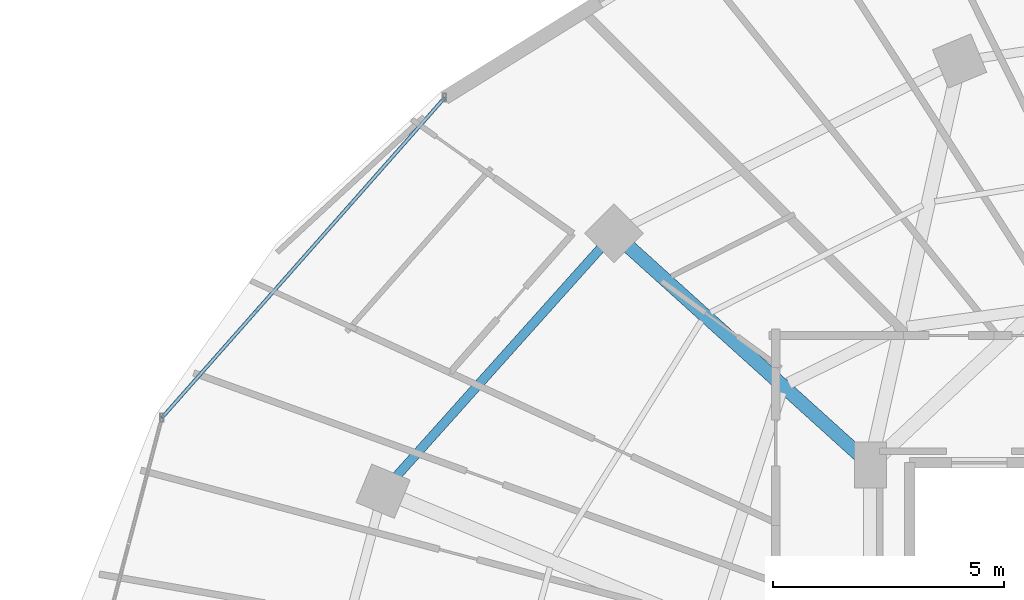
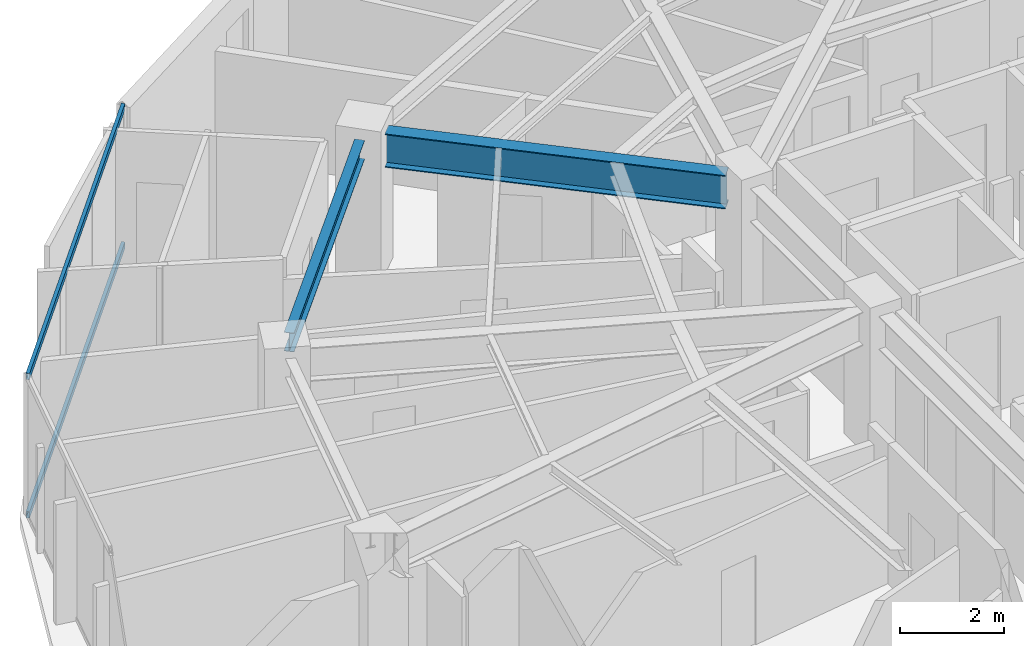
# One storey, part 16 of 33: 2 beams, 2 members, 1 element without a shape of its own.
"""IFC4 building model written with IfcOpenShell, lengths in metres."""

from ifc_helpers import new_model, si_unit, direction, frame, origin, origin_2d, place, context, subcontext, project, spatial, hollow_rectangle, i_section, extrude, material, material_profile, profile_set, type_object, element, aggregate, save


model = new_model("IFC4")

# Units and contexts
model_context = context("Model", 3, precision=1e-05, world=origin(), true_north=direction((0.0, 1.0)))
body_context = subcontext(model_context, "Body", "Model", "MODEL_VIEW")
ifc_project = project(units=[si_unit("LENGTHUNIT", "METRE"), si_unit("AREAUNIT", "SQUARE_METRE"), si_unit("VOLUMEUNIT", "CUBIC_METRE"), si_unit("PLANEANGLEUNIT", "RADIAN"), si_unit("MASSUNIT", "GRAM", prefix="KILO")], contexts=[model_context])

# Site, building, storey
site_placement = place(None, origin())
site = spatial("IfcSite", under=ifc_project, at=site_placement, CompositionType="ELEMENT")
building_placement = place(site_placement, origin())
building = spatial("IfcBuilding", under=site, at=building_placement, Name="Vorneva Point Tower", CompositionType="ELEMENT")
storey_placement = place(building_placement, frame((0.0, 0.0, 200.10009765625)))
storey = spatial("IfcBuildingStorey", under=building, at=storey_placement, Name="L54", CompositionType="ELEMENT", Elevation=200.10009765625)

# Beams
ifc_material_1 = material(Name="Steel S355", Category="steel")
ifc_material_profile_1 = material_profile(ifc_material_1, i_section(OverallWidth=0.300048828125, OverallDepth=0.7880859375, WebThickness=0.014404296875, FlangeThickness=0.02197265625, at=origin_2d()), Name="80Sh1")
ifc_profile_set_1 = profile_set([ifc_material_profile_1], Name="Steel S355")
beam_type_1 = type_object("IfcBeamType", Name="BM-GRD-80Sh1", PredefinedType="USERDEFINED", material=ifc_profile_set_1)
beam_1_placement = place(storey_placement, frame((22.026123046875, 37.86865234375, 2.89599609375), z_axis=(0.742089778537, -0.670300500217, 0.0), x_axis=(0.670300500217, 0.742089778537, 0.0)))
element("IfcBeam", 1, at=beam_1_placement, inside=storey, type_object=beam_type_1, Name="L54 Radial Primary Girder 07", ObjectType="GIRDER", PredefinedType="USERDEFINED", context=body_context, shape_type="SweptSolid", body=[
    extrude(i_section(OverallWidth=0.300048828125, OverallDepth=0.7880859375, WebThickness=0.014404296875, FlangeThickness=0.02197265625, at=origin_2d()), origin(), (0.0, 0.0, 1.0), 6.699462890625),
])
ifc_material_profile_2 = material_profile(ifc_material_1, i_section(OverallWidth=0.198974609375, OverallDepth=0.446044921875, WebThickness=0.008056640625, FlangeThickness=0.011962890625, at=origin_2d()), Name="45B1")
ifc_profile_set_2 = profile_set([ifc_material_profile_2], Name="Steel S355")
beam_type_2 = type_object("IfcBeamType", Name="BM-SPN-45B1", PredefinedType="SPANDREL", material=ifc_profile_set_2)
beam_2_placement = place(storey_placement, frame((21.410888671875, 37.838134765625, 3.06689453125), z_axis=(-0.66706970547, -0.744995307397, 0.0), x_axis=(0.744995307397, -0.66706970547, 0.0)))
element("IfcBeam", 2, at=beam_2_placement, inside=storey, type_object=beam_type_2, Name="L54 Perimeter Spandrel Ring Beam 07", PredefinedType="SPANDREL", context=body_context, shape_type="SweptSolid", body=[
    extrude(i_section(OverallWidth=0.198974609375, OverallDepth=0.446044921875, WebThickness=0.008056640625, FlangeThickness=0.011962890625, at=origin_2d()), origin(), (0.0, 0.0, 1.0), 6.6201171875),
])

# Curtain wall, members
ifc_material_2 = material(Name="Pale anodised aluminium", Category="aluminium")
curtain_wall_type = type_object("IfcCurtainWallType", Name="CW-RES-SYS", PredefinedType="NOTDEFINED", material=ifc_material_2)
curtain_wall_placement = place(storey_placement, origin())
curtain_wall = element("IfcCurtainWall", 3, at=curtain_wall_placement, inside=storey, type_object=curtain_wall_type, Name="L54 Unitised Curtain Wall CW-L54-R02", PredefinedType="NOTDEFINED")
ifc_material_profile_3 = material_profile(ifc_material_2, hollow_rectangle(XDim=0.074951171875, YDim=0.14990234375, WallThickness=0.00390625, at=origin_2d()), Name="AL-TRN 150x75x4")
ifc_profile_set_3 = profile_set([ifc_material_profile_3], Name="Pale anodised aluminium")
member_type = type_object("IfcMemberType", Name="CW-TRN-150", PredefinedType="USERDEFINED", material=ifc_profile_set_3)
member_1_placement = place(storey_placement, frame((18.038330078125, 41.0966796875, 0.02001953125), z_axis=(-0.662106383869, -0.749409858782, 0.0), x_axis=(0.749409858782, -0.662106383869, 0.0)))
member_1 = element("IfcMember", 4, at=member_1_placement, type_object=member_type, Name="CW-L54-R02 Transom 01.1", ObjectType="TRANSOM", PredefinedType="USERDEFINED", context=body_context, shape_type="SweptSolid", body=[
    extrude(hollow_rectangle(XDim=0.074951171875, YDim=0.14990234375, WallThickness=0.00390625, at=origin_2d()), origin(), (0.0, 0.0, 1.0), 9.2421875),
])
member_2_placement = place(storey_placement, frame((18.038330078125, 41.0966796875, 3.27001953125), z_axis=(-0.662106383869, -0.749409858782, 0.0), x_axis=(0.749409858782, -0.662106383869, 0.0)))
member_2 = element("IfcMember", 5, at=member_2_placement, type_object=member_type, Name="CW-L54-R02 Transom 01.2", ObjectType="TRANSOM", PredefinedType="USERDEFINED", context=body_context, shape_type="SweptSolid", body=[
    extrude(hollow_rectangle(XDim=0.074951171875, YDim=0.14990234375, WallThickness=0.00390625, at=origin_2d()), origin(), (0.0, 0.0, 1.0), 9.2421875),
])
aggregate(curtain_wall, [member_1, member_2])

save(model, "model.ifc")
